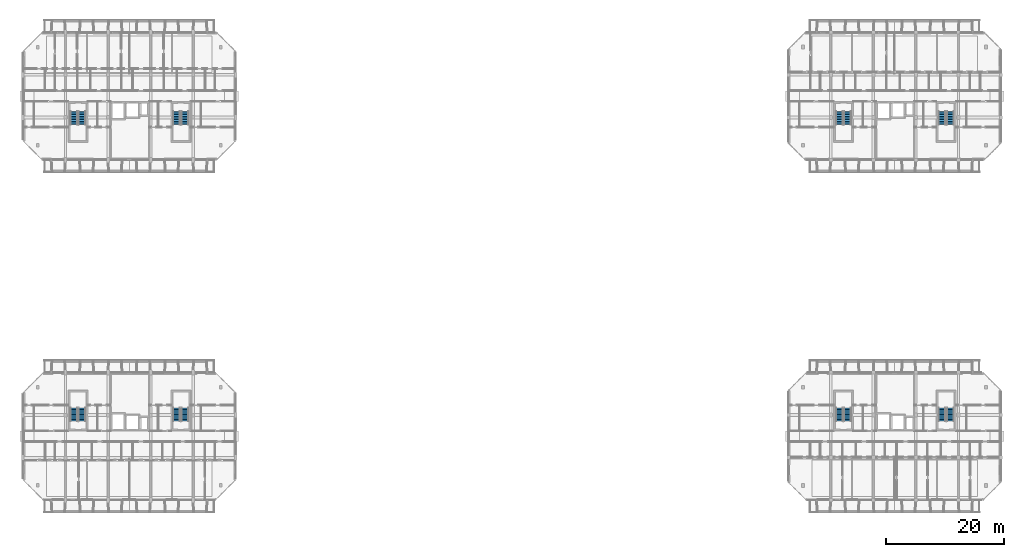
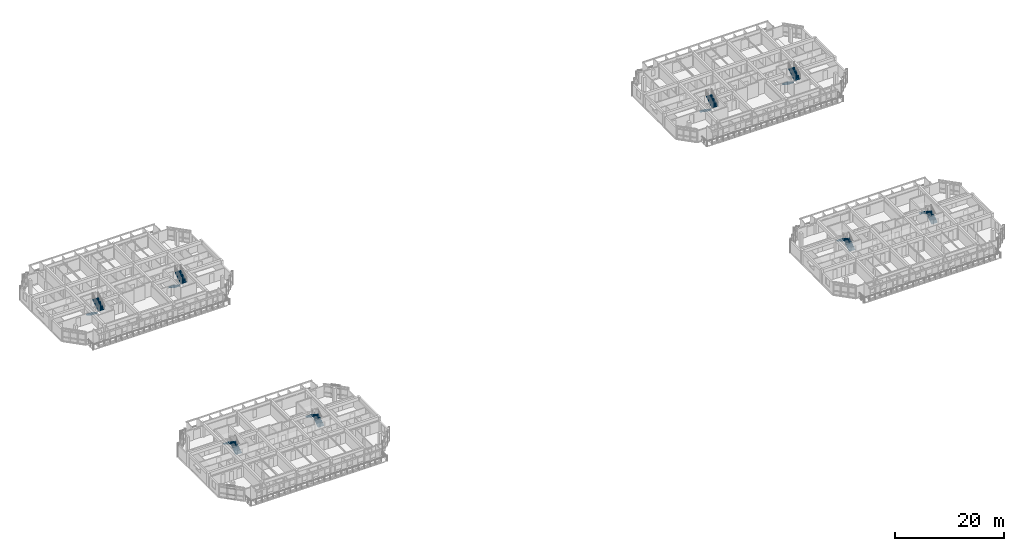
# One storey, part 29 of 44: 16 stair flights, 8 elements without a shape of their own.
"""IFC4 building model written with IfcOpenShell, lengths in metres."""

from ifc_helpers import new_model, si_unit, direction, frame, origin, place, context, subcontext, project, spatial, polyline, outline, extrude, material, type_object, element, aggregate, save


model = new_model("IFC4")

# Units and contexts
model_context = context("Model", 3, precision=1e-05, world=origin(), true_north=direction((0.0, 1.0)))
body_context = subcontext(model_context, "Body", "Model", "MODEL_VIEW")
ifc_project = project(units=[si_unit("LENGTHUNIT", "METRE"), si_unit("AREAUNIT", "SQUARE_METRE"), si_unit("VOLUMEUNIT", "CUBIC_METRE"), si_unit("PLANEANGLEUNIT", "RADIAN"), si_unit("MASSUNIT", "GRAM", prefix="KILO")], contexts=[model_context])

# Site, building, storey
site_placement = place(None, origin())
site = spatial("IfcSite", under=ifc_project, at=site_placement, CompositionType="ELEMENT")
building_placement = place(site_placement, origin())
building = spatial("IfcBuilding", under=site, at=building_placement, Name="Ochrevale Crest", CompositionType="ELEMENT")
storey_placement = place(building_placement, frame((0.0, 0.0, 21.300048828125)))
storey = spatial("IfcBuildingStorey", under=building, at=storey_placement, Name="L06", CompositionType="ELEMENT", Elevation=21.300048828125)

# Stair, stair flights
ifc_material = material(Name="Precast concrete C40/50", Category="concrete")
stair_type = type_object("IfcStairType", Name="ST-CORE-DOG", PredefinedType="HALF_TURN_STAIR", material=ifc_material)
stair_1_placement = place(storey_placement, origin())
stair_1 = element("IfcStair", 1, at=stair_1_placement, inside=storey, type_object=stair_type, Name="L06 Block A Fire Stair 1", PredefinedType="HALF_TURN_STAIR")
stair_flight_type = type_object("IfcStairFlightType", Name="SFL-CORE-125", PredefinedType="STRAIGHT", material=ifc_material)
stair_flight_1_placement = place(storey_placement, frame((10.02490234375, 27.77490234375, 0.0), z_axis=(0.0, 0.0, 1.0), x_axis=(0.0, 1.0, 0.0)))
stair_flight_1 = element("IfcStairFlight", 2, at=stair_flight_1_placement, type_object=stair_flight_type, Name="ST-A1 flight 1", NumberOfRisers=9, NumberOfTreads=8, PredefinedType="STRAIGHT", RiserHeight=0.175, TreadLength=0.28, context=body_context, shape_type="SweptSolid", body=[
    extrude(outline(polyline([(0.0, 0.0), (0.0, 0.175048828125), (0.280029296875, 0.175048828125), (0.280029296875, 0.35009765625), (0.56005859375, 0.35009765625), (0.56005859375, 0.52490234375), (0.840087890625, 0.52490234375), (0.840087890625, 0.699951171875), (1.1201171875, 0.699951171875), (1.1201171875, 0.875), (1.39990234375, 0.875), (1.39990234375, 1.050048828125), (1.679931640625, 1.050048828125), (1.679931640625, 1.22509765625), (1.9599609375, 1.22509765625), (1.9599609375, 1.39990234375), (2.239990234375, 1.39990234375), (2.239990234375, 1.574951171875), (2.239990234375, 1.22314453125), (0.28271484375, 0.0), (0.0, 0.0)])), frame((0.0, 0.625, 0.0), z_axis=(0.0, -1.0, 0.0), x_axis=(1.0, 0.0, 0.0)), (0.0, 0.0, 1.0), 1.25),
])
stair_flight_2_placement = place(storey_placement, frame((8.625, 30.014892578125, 1.574951171875), z_axis=(0.0, 0.0, 1.0), x_axis=(0.0, -1.0, 0.0)))
stair_flight_2 = element("IfcStairFlight", 3, at=stair_flight_2_placement, type_object=stair_flight_type, Name="ST-A1 flight 2", NumberOfRisers=9, NumberOfTreads=8, PredefinedType="STRAIGHT", RiserHeight=0.175, TreadLength=0.28, context=body_context, shape_type="SweptSolid", body=[
    extrude(outline(polyline([(0.0, 0.0), (0.0, 0.175048828125), (0.280029296875, 0.175048828125), (0.280029296875, 0.35009765625), (0.56005859375, 0.35009765625), (0.56005859375, 0.52490234375), (0.840087890625, 0.52490234375), (0.840087890625, 0.699951171875), (1.1201171875, 0.699951171875), (1.1201171875, 0.875), (1.39990234375, 0.875), (1.39990234375, 1.050048828125), (1.679931640625, 1.050048828125), (1.679931640625, 1.22509765625), (1.9599609375, 1.22509765625), (1.9599609375, 1.39990234375), (2.239990234375, 1.39990234375), (2.239990234375, 1.574951171875), (2.239990234375, 1.22314453125), (0.28271484375, 0.0), (0.0, 0.0)])), frame((0.0, 0.625, 0.0), z_axis=(0.0, -1.0, 0.0), x_axis=(1.0, 0.0, 0.0)), (0.0, 0.0, 1.0), 1.25),
])
aggregate(stair_1, [stair_flight_1, stair_flight_2])

stair_2_placement = place(storey_placement, origin())
stair_2 = element("IfcStair", 4, at=stair_2_placement, inside=storey, type_object=stair_type, Name="L06 Block A Fire Stair 2", PredefinedType="HALF_TURN_STAIR")
stair_flight_3_placement = place(storey_placement, frame((27.425048828125, 27.77490234375, 0.0), z_axis=(0.0, 0.0, 1.0), x_axis=(0.0, 1.0, 0.0)))
stair_flight_3 = element("IfcStairFlight", 5, at=stair_flight_3_placement, type_object=stair_flight_type, Name="ST-A2 flight 1", NumberOfRisers=9, NumberOfTreads=8, PredefinedType="STRAIGHT", RiserHeight=0.175, TreadLength=0.28, context=body_context, shape_type="SweptSolid", body=[
    extrude(outline(polyline([(0.0, 0.0), (0.0, 0.175048828125), (0.280029296875, 0.175048828125), (0.280029296875, 0.35009765625), (0.56005859375, 0.35009765625), (0.56005859375, 0.52490234375), (0.840087890625, 0.52490234375), (0.840087890625, 0.699951171875), (1.1201171875, 0.699951171875), (1.1201171875, 0.875), (1.39990234375, 0.875), (1.39990234375, 1.050048828125), (1.679931640625, 1.050048828125), (1.679931640625, 1.22509765625), (1.9599609375, 1.22509765625), (1.9599609375, 1.39990234375), (2.239990234375, 1.39990234375), (2.239990234375, 1.574951171875), (2.239990234375, 1.22314453125), (0.28271484375, 0.0), (0.0, 0.0)])), frame((0.0, 0.625, 0.0), z_axis=(0.0, -1.0, 0.0), x_axis=(1.0, 0.0, 0.0)), (0.0, 0.0, 1.0), 1.25),
])
stair_flight_4_placement = place(storey_placement, frame((26.02490234375, 30.014892578125, 1.574951171875), z_axis=(0.0, 0.0, 1.0), x_axis=(0.0, -1.0, 0.0)))
stair_flight_4 = element("IfcStairFlight", 6, at=stair_flight_4_placement, type_object=stair_flight_type, Name="ST-A2 flight 2", NumberOfRisers=9, NumberOfTreads=8, PredefinedType="STRAIGHT", RiserHeight=0.175, TreadLength=0.28, context=body_context, shape_type="SweptSolid", body=[
    extrude(outline(polyline([(0.0, 0.0), (0.0, 0.175048828125), (0.280029296875, 0.175048828125), (0.280029296875, 0.35009765625), (0.56005859375, 0.35009765625), (0.56005859375, 0.52490234375), (0.840087890625, 0.52490234375), (0.840087890625, 0.699951171875), (1.1201171875, 0.699951171875), (1.1201171875, 0.875), (1.39990234375, 0.875), (1.39990234375, 1.050048828125), (1.679931640625, 1.050048828125), (1.679931640625, 1.22509765625), (1.9599609375, 1.22509765625), (1.9599609375, 1.39990234375), (2.239990234375, 1.39990234375), (2.239990234375, 1.574951171875), (2.239990234375, 1.22314453125), (0.28271484375, 0.0), (0.0, 0.0)])), frame((0.0, 0.625, 0.0), z_axis=(0.0, -1.0, 0.0), x_axis=(1.0, 0.0, 0.0)), (0.0, 0.0, 1.0), 1.25),
])
aggregate(stair_2, [stair_flight_3, stair_flight_4])

stair_3_placement = place(storey_placement, origin())
stair_3 = element("IfcStair", 7, at=stair_3_placement, inside=storey, type_object=stair_type, Name="L06 Block B Fire Stair 1", PredefinedType="HALF_TURN_STAIR")
stair_flight_5_placement = place(storey_placement, frame((8.625, 80.22509765625, 0.0), z_axis=(0.0, 0.0, 1.0), x_axis=(0.0, -1.0, 0.0)))
stair_flight_5 = element("IfcStairFlight", 8, at=stair_flight_5_placement, type_object=stair_flight_type, Name="ST-B1 flight 1", NumberOfRisers=9, NumberOfTreads=8, PredefinedType="STRAIGHT", RiserHeight=0.175, TreadLength=0.28, context=body_context, shape_type="SweptSolid", body=[
    extrude(outline(polyline([(0.0, 0.0), (0.0, 0.175048828125), (0.280029296875, 0.175048828125), (0.280029296875, 0.35009765625), (0.56005859375, 0.35009765625), (0.56005859375, 0.52490234375), (0.840087890625, 0.52490234375), (0.840087890625, 0.699951171875), (1.1201171875, 0.699951171875), (1.1201171875, 0.875), (1.39990234375, 0.875), (1.39990234375, 1.050048828125), (1.679931640625, 1.050048828125), (1.679931640625, 1.22509765625), (1.9599609375, 1.22509765625), (1.9599609375, 1.39990234375), (2.239990234375, 1.39990234375), (2.239990234375, 1.574951171875), (2.239990234375, 1.22314453125), (0.28271484375, 0.0), (0.0, 0.0)])), frame((0.0, 0.625, 0.0), z_axis=(0.0, -1.0, 0.0), x_axis=(1.0, 0.0, 0.0)), (0.0, 0.0, 1.0), 1.25),
])
stair_flight_6_placement = place(storey_placement, frame((10.02490234375, 77.985107421875, 1.574951171875), z_axis=(0.0, 0.0, 1.0), x_axis=(0.0, 1.0, 0.0)))
stair_flight_6 = element("IfcStairFlight", 9, at=stair_flight_6_placement, type_object=stair_flight_type, Name="ST-B1 flight 2", NumberOfRisers=9, NumberOfTreads=8, PredefinedType="STRAIGHT", RiserHeight=0.175, TreadLength=0.28, context=body_context, shape_type="SweptSolid", body=[
    extrude(outline(polyline([(0.0, 0.0), (0.0, 0.175048828125), (0.280029296875, 0.175048828125), (0.280029296875, 0.35009765625), (0.56005859375, 0.35009765625), (0.56005859375, 0.52490234375), (0.840087890625, 0.52490234375), (0.840087890625, 0.699951171875), (1.1201171875, 0.699951171875), (1.1201171875, 0.875), (1.39990234375, 0.875), (1.39990234375, 1.050048828125), (1.679931640625, 1.050048828125), (1.679931640625, 1.22509765625), (1.9599609375, 1.22509765625), (1.9599609375, 1.39990234375), (2.239990234375, 1.39990234375), (2.239990234375, 1.574951171875), (2.239990234375, 1.22314453125), (0.28271484375, 0.0), (0.0, 0.0)])), frame((0.0, 0.625, 0.0), z_axis=(0.0, -1.0, 0.0), x_axis=(1.0, 0.0, 0.0)), (0.0, 0.0, 1.0), 1.25),
])
aggregate(stair_3, [stair_flight_5, stair_flight_6])

stair_4_placement = place(storey_placement, origin())
stair_4 = element("IfcStair", 10, at=stair_4_placement, inside=storey, type_object=stair_type, Name="L06 Block B Fire Stair 2", PredefinedType="HALF_TURN_STAIR")
stair_flight_7_placement = place(storey_placement, frame((26.02490234375, 80.22509765625, 0.0), z_axis=(0.0, 0.0, 1.0), x_axis=(0.0, -1.0, 0.0)))
stair_flight_7 = element("IfcStairFlight", 11, at=stair_flight_7_placement, type_object=stair_flight_type, Name="ST-B2 flight 1", NumberOfRisers=9, NumberOfTreads=8, PredefinedType="STRAIGHT", RiserHeight=0.175, TreadLength=0.28, context=body_context, shape_type="SweptSolid", body=[
    extrude(outline(polyline([(0.0, 0.0), (0.0, 0.175048828125), (0.280029296875, 0.175048828125), (0.280029296875, 0.35009765625), (0.56005859375, 0.35009765625), (0.56005859375, 0.52490234375), (0.840087890625, 0.52490234375), (0.840087890625, 0.699951171875), (1.1201171875, 0.699951171875), (1.1201171875, 0.875), (1.39990234375, 0.875), (1.39990234375, 1.050048828125), (1.679931640625, 1.050048828125), (1.679931640625, 1.22509765625), (1.9599609375, 1.22509765625), (1.9599609375, 1.39990234375), (2.239990234375, 1.39990234375), (2.239990234375, 1.574951171875), (2.239990234375, 1.22314453125), (0.28271484375, 0.0), (0.0, 0.0)])), frame((0.0, 0.625, 0.0), z_axis=(0.0, -1.0, 0.0), x_axis=(1.0, 0.0, 0.0)), (0.0, 0.0, 1.0), 1.25),
])
stair_flight_8_placement = place(storey_placement, frame((27.425048828125, 77.985107421875, 1.574951171875), z_axis=(0.0, 0.0, 1.0), x_axis=(0.0, 1.0, 0.0)))
stair_flight_8 = element("IfcStairFlight", 12, at=stair_flight_8_placement, type_object=stair_flight_type, Name="ST-B2 flight 2", NumberOfRisers=9, NumberOfTreads=8, PredefinedType="STRAIGHT", RiserHeight=0.175, TreadLength=0.28, context=body_context, shape_type="SweptSolid", body=[
    extrude(outline(polyline([(0.0, 0.0), (0.0, 0.175048828125), (0.280029296875, 0.175048828125), (0.280029296875, 0.35009765625), (0.56005859375, 0.35009765625), (0.56005859375, 0.52490234375), (0.840087890625, 0.52490234375), (0.840087890625, 0.699951171875), (1.1201171875, 0.699951171875), (1.1201171875, 0.875), (1.39990234375, 0.875), (1.39990234375, 1.050048828125), (1.679931640625, 1.050048828125), (1.679931640625, 1.22509765625), (1.9599609375, 1.22509765625), (1.9599609375, 1.39990234375), (2.239990234375, 1.39990234375), (2.239990234375, 1.574951171875), (2.239990234375, 1.22314453125), (0.28271484375, 0.0), (0.0, 0.0)])), frame((0.0, 0.625, 0.0), z_axis=(0.0, -1.0, 0.0), x_axis=(1.0, 0.0, 0.0)), (0.0, 0.0, 1.0), 1.25),
])
aggregate(stair_4, [stair_flight_7, stair_flight_8])

stair_5_placement = place(storey_placement, origin())
stair_5 = element("IfcStair", 13, at=stair_5_placement, inside=storey, type_object=stair_type, Name="L06 Block C Fire Stair 1", PredefinedType="HALF_TURN_STAIR")
stair_flight_9_placement = place(storey_placement, frame((139.625, 27.77490234375, 0.0), z_axis=(0.0, 0.0, 1.0), x_axis=(0.0, 1.0, 0.0)))
stair_flight_9 = element("IfcStairFlight", 14, at=stair_flight_9_placement, type_object=stair_flight_type, Name="ST-C1 flight 1", NumberOfRisers=9, NumberOfTreads=8, PredefinedType="STRAIGHT", RiserHeight=0.175, TreadLength=0.28, context=body_context, shape_type="SweptSolid", body=[
    extrude(outline(polyline([(0.0, 0.0), (0.0, 0.175048828125), (0.280029296875, 0.175048828125), (0.280029296875, 0.35009765625), (0.56005859375, 0.35009765625), (0.56005859375, 0.52490234375), (0.840087890625, 0.52490234375), (0.840087890625, 0.699951171875), (1.1201171875, 0.699951171875), (1.1201171875, 0.875), (1.39990234375, 0.875), (1.39990234375, 1.050048828125), (1.679931640625, 1.050048828125), (1.679931640625, 1.22509765625), (1.9599609375, 1.22509765625), (1.9599609375, 1.39990234375), (2.239990234375, 1.39990234375), (2.239990234375, 1.574951171875), (2.239990234375, 1.22314453125), (0.28271484375, 0.0), (0.0, 0.0)])), frame((0.0, 0.625, 0.0), z_axis=(0.0, -1.0, 0.0), x_axis=(1.0, 0.0, 0.0)), (0.0, 0.0, 1.0), 1.25),
])
stair_flight_10_placement = place(storey_placement, frame((138.22509765625, 30.014892578125, 1.574951171875), z_axis=(0.0, 0.0, 1.0), x_axis=(0.0, -1.0, 0.0)))
stair_flight_10 = element("IfcStairFlight", 15, at=stair_flight_10_placement, type_object=stair_flight_type, Name="ST-C1 flight 2", NumberOfRisers=9, NumberOfTreads=8, PredefinedType="STRAIGHT", RiserHeight=0.175, TreadLength=0.28, context=body_context, shape_type="SweptSolid", body=[
    extrude(outline(polyline([(0.0, 0.0), (0.0, 0.175048828125), (0.280029296875, 0.175048828125), (0.280029296875, 0.35009765625), (0.56005859375, 0.35009765625), (0.56005859375, 0.52490234375), (0.840087890625, 0.52490234375), (0.840087890625, 0.699951171875), (1.1201171875, 0.699951171875), (1.1201171875, 0.875), (1.39990234375, 0.875), (1.39990234375, 1.050048828125), (1.679931640625, 1.050048828125), (1.679931640625, 1.22509765625), (1.9599609375, 1.22509765625), (1.9599609375, 1.39990234375), (2.239990234375, 1.39990234375), (2.239990234375, 1.574951171875), (2.239990234375, 1.22314453125), (0.28271484375, 0.0), (0.0, 0.0)])), frame((0.0, 0.625, 0.0), z_axis=(0.0, -1.0, 0.0), x_axis=(1.0, 0.0, 0.0)), (0.0, 0.0, 1.0), 1.25),
])
aggregate(stair_5, [stair_flight_9, stair_flight_10])

stair_6_placement = place(storey_placement, origin())
stair_6 = element("IfcStair", 16, at=stair_6_placement, inside=storey, type_object=stair_type, Name="L06 Block C Fire Stair 2", PredefinedType="HALF_TURN_STAIR")
stair_flight_11_placement = place(storey_placement, frame((157.02490234375, 27.77490234375, 0.0), z_axis=(0.0, 0.0, 1.0), x_axis=(0.0, 1.0, 0.0)))
stair_flight_11 = element("IfcStairFlight", 17, at=stair_flight_11_placement, type_object=stair_flight_type, Name="ST-C2 flight 1", NumberOfRisers=9, NumberOfTreads=8, PredefinedType="STRAIGHT", RiserHeight=0.175, TreadLength=0.28, context=body_context, shape_type="SweptSolid", body=[
    extrude(outline(polyline([(0.0, 0.0), (0.0, 0.175048828125), (0.280029296875, 0.175048828125), (0.280029296875, 0.35009765625), (0.56005859375, 0.35009765625), (0.56005859375, 0.52490234375), (0.840087890625, 0.52490234375), (0.840087890625, 0.699951171875), (1.1201171875, 0.699951171875), (1.1201171875, 0.875), (1.39990234375, 0.875), (1.39990234375, 1.050048828125), (1.679931640625, 1.050048828125), (1.679931640625, 1.22509765625), (1.9599609375, 1.22509765625), (1.9599609375, 1.39990234375), (2.239990234375, 1.39990234375), (2.239990234375, 1.574951171875), (2.239990234375, 1.22314453125), (0.28271484375, 0.0), (0.0, 0.0)])), frame((0.0, 0.625, 0.0), z_axis=(0.0, -1.0, 0.0), x_axis=(1.0, 0.0, 0.0)), (0.0, 0.0, 1.0), 1.25),
])
stair_flight_12_placement = place(storey_placement, frame((155.625, 30.014892578125, 1.574951171875), z_axis=(0.0, 0.0, 1.0), x_axis=(0.0, -1.0, 0.0)))
stair_flight_12 = element("IfcStairFlight", 18, at=stair_flight_12_placement, type_object=stair_flight_type, Name="ST-C2 flight 2", NumberOfRisers=9, NumberOfTreads=8, PredefinedType="STRAIGHT", RiserHeight=0.175, TreadLength=0.28, context=body_context, shape_type="SweptSolid", body=[
    extrude(outline(polyline([(0.0, 0.0), (0.0, 0.175048828125), (0.280029296875, 0.175048828125), (0.280029296875, 0.35009765625), (0.56005859375, 0.35009765625), (0.56005859375, 0.52490234375), (0.840087890625, 0.52490234375), (0.840087890625, 0.699951171875), (1.1201171875, 0.699951171875), (1.1201171875, 0.875), (1.39990234375, 0.875), (1.39990234375, 1.050048828125), (1.679931640625, 1.050048828125), (1.679931640625, 1.22509765625), (1.9599609375, 1.22509765625), (1.9599609375, 1.39990234375), (2.239990234375, 1.39990234375), (2.239990234375, 1.574951171875), (2.239990234375, 1.22314453125), (0.28271484375, 0.0), (0.0, 0.0)])), frame((0.0, 0.625, 0.0), z_axis=(0.0, -1.0, 0.0), x_axis=(1.0, 0.0, 0.0)), (0.0, 0.0, 1.0), 1.25),
])
aggregate(stair_6, [stair_flight_11, stair_flight_12])

stair_7_placement = place(storey_placement, origin())
stair_7 = element("IfcStair", 19, at=stair_7_placement, inside=storey, type_object=stair_type, Name="L06 Block D Fire Stair 1", PredefinedType="HALF_TURN_STAIR")
stair_flight_13_placement = place(storey_placement, frame((138.22509765625, 80.22509765625, 0.0), z_axis=(0.0, 0.0, 1.0), x_axis=(0.0, -1.0, 0.0)))
stair_flight_13 = element("IfcStairFlight", 20, at=stair_flight_13_placement, type_object=stair_flight_type, Name="ST-D1 flight 1", NumberOfRisers=9, NumberOfTreads=8, PredefinedType="STRAIGHT", RiserHeight=0.175, TreadLength=0.28, context=body_context, shape_type="SweptSolid", body=[
    extrude(outline(polyline([(0.0, 0.0), (0.0, 0.175048828125), (0.280029296875, 0.175048828125), (0.280029296875, 0.35009765625), (0.56005859375, 0.35009765625), (0.56005859375, 0.52490234375), (0.840087890625, 0.52490234375), (0.840087890625, 0.699951171875), (1.1201171875, 0.699951171875), (1.1201171875, 0.875), (1.39990234375, 0.875), (1.39990234375, 1.050048828125), (1.679931640625, 1.050048828125), (1.679931640625, 1.22509765625), (1.9599609375, 1.22509765625), (1.9599609375, 1.39990234375), (2.239990234375, 1.39990234375), (2.239990234375, 1.574951171875), (2.239990234375, 1.22314453125), (0.28271484375, 0.0), (0.0, 0.0)])), frame((0.0, 0.625, 0.0), z_axis=(0.0, -1.0, 0.0), x_axis=(1.0, 0.0, 0.0)), (0.0, 0.0, 1.0), 1.25),
])
stair_flight_14_placement = place(storey_placement, frame((139.625, 77.985107421875, 1.574951171875), z_axis=(0.0, 0.0, 1.0), x_axis=(0.0, 1.0, 0.0)))
stair_flight_14 = element("IfcStairFlight", 21, at=stair_flight_14_placement, type_object=stair_flight_type, Name="ST-D1 flight 2", NumberOfRisers=9, NumberOfTreads=8, PredefinedType="STRAIGHT", RiserHeight=0.175, TreadLength=0.28, context=body_context, shape_type="SweptSolid", body=[
    extrude(outline(polyline([(0.0, 0.0), (0.0, 0.175048828125), (0.280029296875, 0.175048828125), (0.280029296875, 0.35009765625), (0.56005859375, 0.35009765625), (0.56005859375, 0.52490234375), (0.840087890625, 0.52490234375), (0.840087890625, 0.699951171875), (1.1201171875, 0.699951171875), (1.1201171875, 0.875), (1.39990234375, 0.875), (1.39990234375, 1.050048828125), (1.679931640625, 1.050048828125), (1.679931640625, 1.22509765625), (1.9599609375, 1.22509765625), (1.9599609375, 1.39990234375), (2.239990234375, 1.39990234375), (2.239990234375, 1.574951171875), (2.239990234375, 1.22314453125), (0.28271484375, 0.0), (0.0, 0.0)])), frame((0.0, 0.625, 0.0), z_axis=(0.0, -1.0, 0.0), x_axis=(1.0, 0.0, 0.0)), (0.0, 0.0, 1.0), 1.25),
])
aggregate(stair_7, [stair_flight_13, stair_flight_14])

stair_8_placement = place(storey_placement, origin())
stair_8 = element("IfcStair", 22, at=stair_8_placement, inside=storey, type_object=stair_type, Name="L06 Block D Fire Stair 2", PredefinedType="HALF_TURN_STAIR")
stair_flight_15_placement = place(storey_placement, frame((155.625, 80.22509765625, 0.0), z_axis=(0.0, 0.0, 1.0), x_axis=(0.0, -1.0, 0.0)))
stair_flight_15 = element("IfcStairFlight", 23, at=stair_flight_15_placement, type_object=stair_flight_type, Name="ST-D2 flight 1", NumberOfRisers=9, NumberOfTreads=8, PredefinedType="STRAIGHT", RiserHeight=0.175, TreadLength=0.28, context=body_context, shape_type="SweptSolid", body=[
    extrude(outline(polyline([(0.0, 0.0), (0.0, 0.175048828125), (0.280029296875, 0.175048828125), (0.280029296875, 0.35009765625), (0.56005859375, 0.35009765625), (0.56005859375, 0.52490234375), (0.840087890625, 0.52490234375), (0.840087890625, 0.699951171875), (1.1201171875, 0.699951171875), (1.1201171875, 0.875), (1.39990234375, 0.875), (1.39990234375, 1.050048828125), (1.679931640625, 1.050048828125), (1.679931640625, 1.22509765625), (1.9599609375, 1.22509765625), (1.9599609375, 1.39990234375), (2.239990234375, 1.39990234375), (2.239990234375, 1.574951171875), (2.239990234375, 1.22314453125), (0.28271484375, 0.0), (0.0, 0.0)])), frame((0.0, 0.625, 0.0), z_axis=(0.0, -1.0, 0.0), x_axis=(1.0, 0.0, 0.0)), (0.0, 0.0, 1.0), 1.25),
])
stair_flight_16_placement = place(storey_placement, frame((157.02490234375, 77.985107421875, 1.574951171875), z_axis=(0.0, 0.0, 1.0), x_axis=(0.0, 1.0, 0.0)))
stair_flight_16 = element("IfcStairFlight", 24, at=stair_flight_16_placement, type_object=stair_flight_type, Name="ST-D2 flight 2", NumberOfRisers=9, NumberOfTreads=8, PredefinedType="STRAIGHT", RiserHeight=0.175, TreadLength=0.28, context=body_context, shape_type="SweptSolid", body=[
    extrude(outline(polyline([(0.0, 0.0), (0.0, 0.175048828125), (0.280029296875, 0.175048828125), (0.280029296875, 0.35009765625), (0.56005859375, 0.35009765625), (0.56005859375, 0.52490234375), (0.840087890625, 0.52490234375), (0.840087890625, 0.699951171875), (1.1201171875, 0.699951171875), (1.1201171875, 0.875), (1.39990234375, 0.875), (1.39990234375, 1.050048828125), (1.679931640625, 1.050048828125), (1.679931640625, 1.22509765625), (1.9599609375, 1.22509765625), (1.9599609375, 1.39990234375), (2.239990234375, 1.39990234375), (2.239990234375, 1.574951171875), (2.239990234375, 1.22314453125), (0.28271484375, 0.0), (0.0, 0.0)])), frame((0.0, 0.625, 0.0), z_axis=(0.0, -1.0, 0.0), x_axis=(1.0, 0.0, 0.0)), (0.0, 0.0, 1.0), 1.25),
])
aggregate(stair_8, [stair_flight_15, stair_flight_16])

save(model, "model.ifc")
